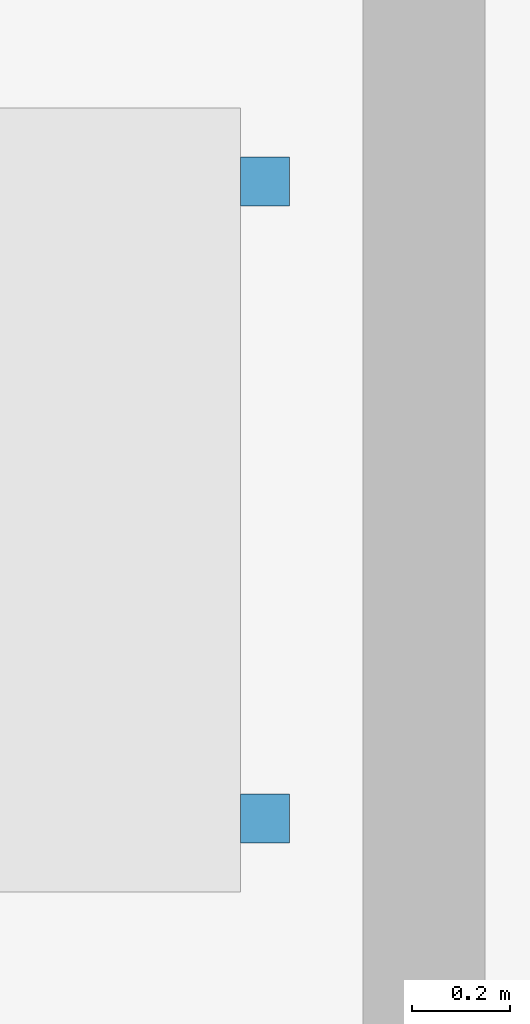
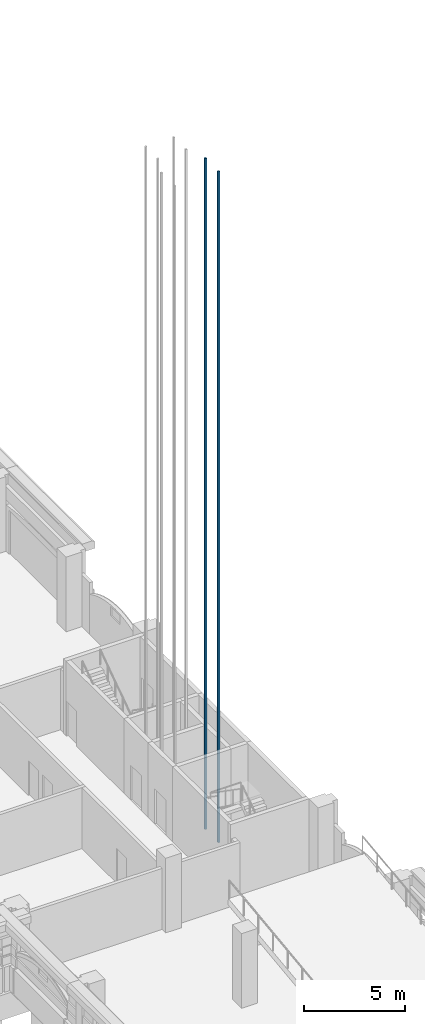
# One storey, part 55 of 99: 2 discrete accessories.
"""IFC4 building model written with IfcOpenShell, lengths in metres."""

from ifc_helpers import new_model, si_unit, direction, frame, origin, origin_2d, place, context, subcontext, project, spatial, rectangle, extrude, material, type_object, element, save


model = new_model("IFC4")

# Units and contexts
model_context = context("Model", 3, precision=1e-05, world=origin(), true_north=direction((0.0, 1.0)))
body_context = subcontext(model_context, "Body", "Model", "MODEL_VIEW")
ifc_project = project(units=[si_unit("LENGTHUNIT", "METRE"), si_unit("AREAUNIT", "SQUARE_METRE"), si_unit("VOLUMEUNIT", "CUBIC_METRE"), si_unit("PLANEANGLEUNIT", "RADIAN"), si_unit("MASSUNIT", "GRAM", prefix="KILO")], contexts=[model_context])

# Site, building, storey
site_placement = place(None, origin())
site = spatial("IfcSite", under=ifc_project, at=site_placement, CompositionType="ELEMENT")
building_placement = place(site_placement, origin())
building = spatial("IfcBuilding", under=site, at=building_placement, Name="Cour d'Honneur Mobility Palace", CompositionType="ELEMENT")
storey_placement = place(building_placement, origin())
storey = spatial("IfcBuildingStorey", under=building, at=storey_placement, Name="L00", CompositionType="ELEMENT", Elevation=0.0)

# Discrete accessories
ifc_material = material(Name="Steel S355", Category="steel")
discrete_accessory_type = type_object("IfcDiscreteAccessoryType", Name="Lift guide rail", PredefinedType="USERDEFINED", material=ifc_material)
for number, where, z_axis, x_axis, name in (
    (1, (160.324951171875, 51.75, -1.39990234375), (0.0, 0.0, 1.0), (1.0, 0.0, 0.0), "Guide rail LF-CE1"),
    (2, (160.324951171875, 53.050048828125, -1.39990234375), (0.0, 0.0, 1.0), (1.0, 0.0, 0.0), "Guide rail LF-CE1"),
):
    element("IfcDiscreteAccessory", number, at=place(storey_placement, frame(where, z_axis=z_axis, x_axis=x_axis)), inside=storey, type_object=discrete_accessory_type, Name=name, ObjectType="GUIDE RAIL", PredefinedType="USERDEFINED", context=body_context, shape_type="SweptSolid", body=[
        extrude(rectangle(XDim=0.10009765625, YDim=0.10009765625, at=origin_2d()), origin(), (0.0, 0.0, 1.0), 40.449951171875),
    ])

save(model, "model.ifc")
